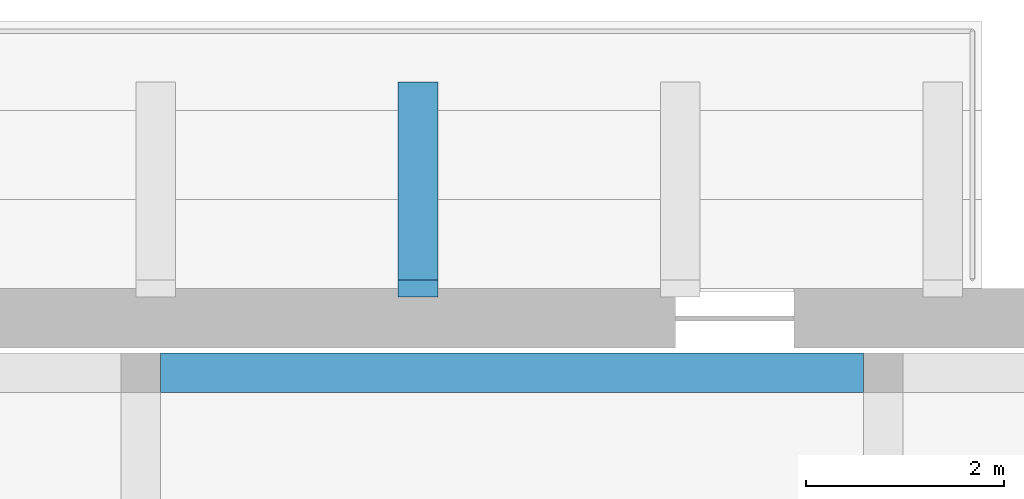
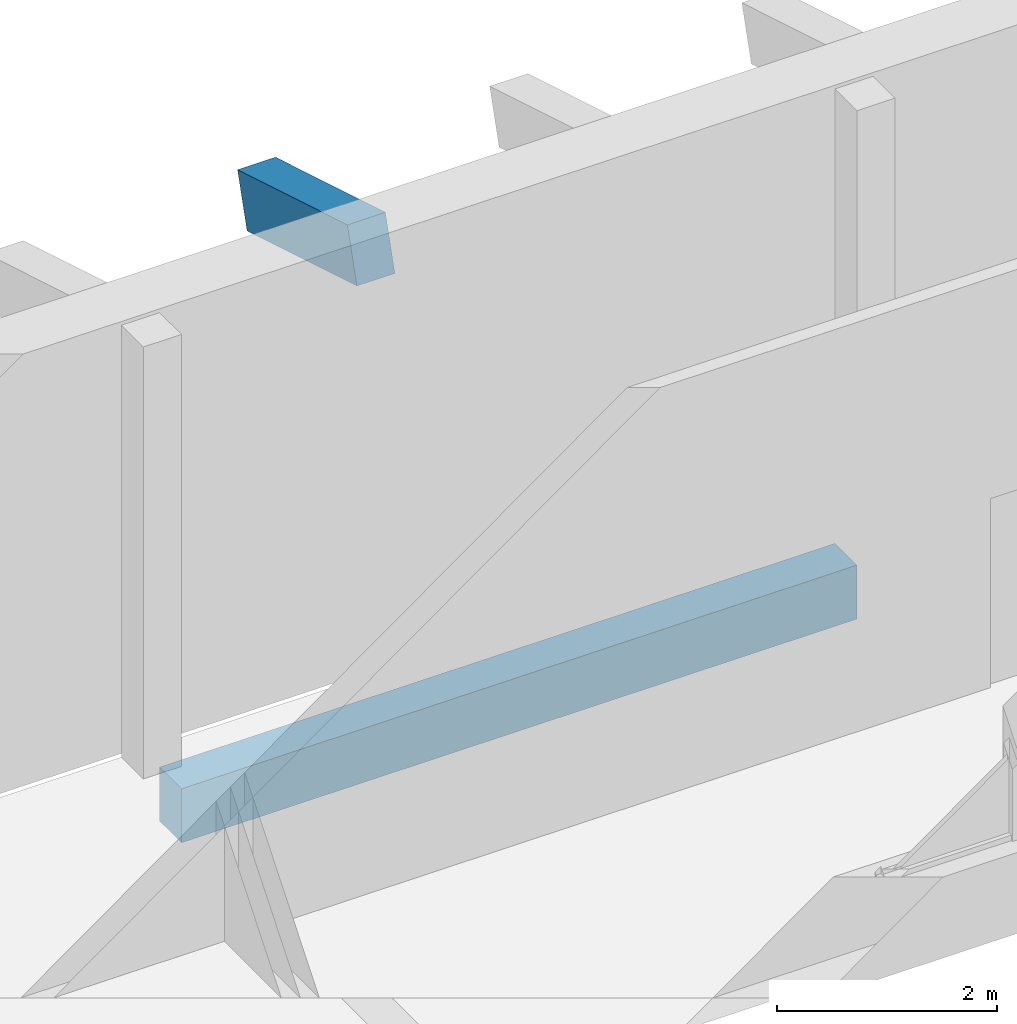
# One storey, part 23 of 127: 2 beams.
"""IFC4 building model written with IfcOpenShell, lengths in metres."""

from ifc_helpers import new_model, si_unit, direction, frame, origin, origin_2d, place, context, subcontext, project, spatial, rectangle, extrude, material, material_profile, profile_set, type_object, element, save


model = new_model("IFC4")

# Units and contexts
model_context = context("Model", 3, precision=1e-05, world=origin(), true_north=direction((0.0, 1.0)))
body_context = subcontext(model_context, "Body", "Model", "MODEL_VIEW")
ifc_project = project(units=[si_unit("LENGTHUNIT", "METRE"), si_unit("AREAUNIT", "SQUARE_METRE"), si_unit("VOLUMEUNIT", "CUBIC_METRE"), si_unit("PLANEANGLEUNIT", "RADIAN"), si_unit("MASSUNIT", "GRAM", prefix="KILO")], contexts=[model_context])

# Site, building, storey
site_placement = place(None, origin())
site = spatial("IfcSite", under=ifc_project, at=site_placement, CompositionType="ELEMENT")
building_placement = place(site_placement, origin())
building = spatial("IfcBuilding", under=site, at=building_placement, Name="Ljudholm Concert House", CompositionType="ELEMENT")
storey_placement = place(building_placement, frame((0.0, 0.0, 5.39990234375)))
storey = spatial("IfcBuildingStorey", under=building, at=storey_placement, Name="L01", CompositionType="ELEMENT", Elevation=5.39990234375)

# Beams
ifc_material_1 = material(Name="Concrete 6,500 psi", Category="concrete")
ifc_material_profile_1 = material_profile(ifc_material_1, rectangle(XDim=0.39990234375, YDim=0.60009765625, at=origin_2d()), Name="RC BEAM 400x600")
ifc_profile_set_1 = profile_set([ifc_material_profile_1], Name="Concrete 6,500 psi")
beam_type_1 = type_object("IfcBeamType", Name="RC BEAM 400x600", PredefinedType="BEAM", material=ifc_profile_set_1)
beam_1_placement = place(storey_placement, frame((63.699951171875, 60.449951171875, -0.5498046875), z_axis=(1.0, 0.0, 0.0), x_axis=(0.0, 1.0, 0.0)))
element("IfcBeam", 1, at=beam_1_placement, inside=storey, type_object=beam_type_1, Name="Ring beam", PredefinedType="BEAM", context=body_context, shape_type="SweptSolid", body=[
    extrude(rectangle(XDim=0.39990234375, YDim=0.60009765625, at=origin_2d()), origin(), (0.0, 0.0, 1.0), 7.10009765625),
])
ifc_material_2 = material(Name="Concrete 6,500 psi", Category="concrete")
ifc_material_profile_2 = material_profile(ifc_material_2, rectangle(XDim=0.39990234375, YDim=0.60009765625, at=origin_2d()), Name="RC BEAM 400x600 BEAM")
ifc_profile_set_2 = profile_set([ifc_material_profile_2], Name="Concrete 6,500 psi")
beam_type_2 = type_object("IfcBeamType", Name="RC BEAM 400x600 BEAM", PredefinedType="BEAM", material=ifc_profile_set_2)
beam_2_placement = place(storey_placement, frame((66.300048828125, 61.300048828125, 4.2001953125), z_axis=(0.0, 0.957813412269, -0.287390791914), x_axis=(-1.0, 0.0, 0.0)))
element("IfcBeam", 2, at=beam_2_placement, inside=storey, type_object=beam_type_2, Name="Gallery bracket beam", PredefinedType="BEAM", context=body_context, shape_type="SweptSolid", body=[
    extrude(rectangle(XDim=0.39990234375, YDim=0.60009765625, at=origin_2d()), origin(), (0.0, 0.0, 1.0), 2.088134765625),
])

save(model, "model.ifc")
